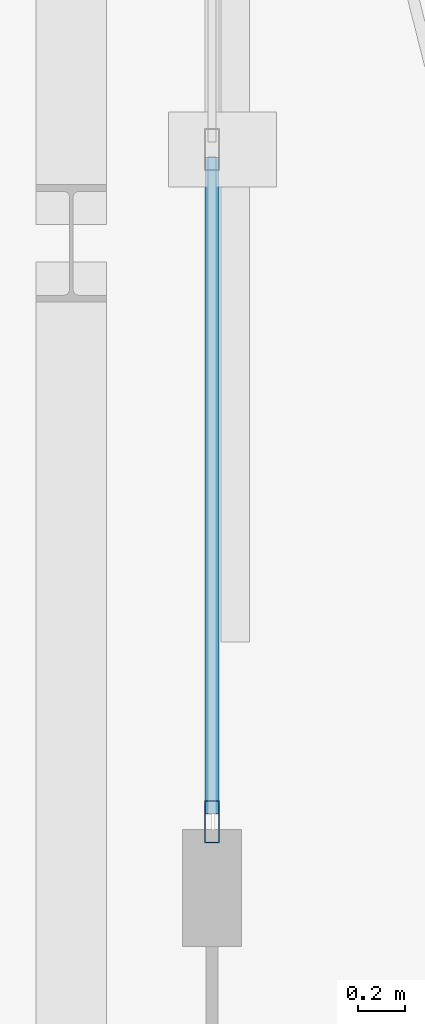
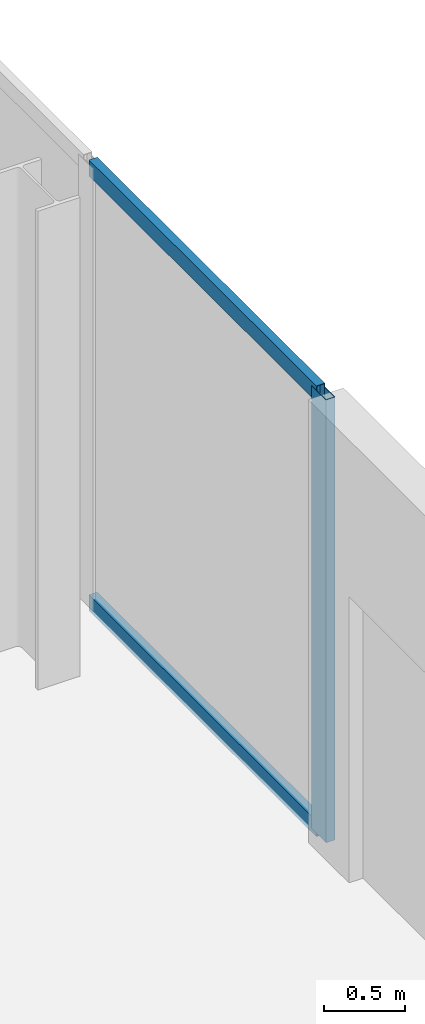
# One storey, part 14 of 23: 3 members, 1 element without a shape of its own.
"""IFC4 building model written with IfcOpenShell, lengths in metres."""

import ifcopenshell
import ifcopenshell.guid

model = None  # the IFC model being written
_history = None  # IfcOwnerHistory: only IFC2X3 demands one
_inside = {}  # id of a spatial element -> (the spatial element, [elements in it])
_under = {}  # id of a project, library or spatial element -> (it, [spatial elements below it])
_declared = {}  # id of a project -> (the project, [libraries it declares])
_typed = {}  # id of a type object -> (the type object, [elements of that type])
_made_of = {}  # id of a material, layer set ... -> (it, [elements and type objects made of it])


def new_model(schema):
    """Start an empty IFC model of exactly this schema.

    Asked for "IFC4X3", IfcOpenShell would pick the latest addendum, in which some entities
    have other attributes; the version numbers below select the first issue.
    IFC2X3 requires an IfcOwnerHistory on every rooted entity: one is made here for all.
    """
    global model, _history
    if schema == "IFC4X3":
        model = ifcopenshell.file(schema_version=(4, 3, 0, 0))
    else:
        model = ifcopenshell.file(schema=schema)
    _inside.clear()
    _under.clear()
    _declared.clear()
    _typed.clear()
    _made_of.clear()
    _history = None
    if model.schema == "IFC2X3":
        org = make("IfcOrganization", Name="unknown")
        user = make(
            "IfcPersonAndOrganization",
            ThePerson=make("IfcPerson", FamilyName="unknown"),
            TheOrganization=org,
        )
        app = make(
            "IfcApplication",
            ApplicationDeveloper=org,
            Version="unknown",
            ApplicationFullName="unknown",
            ApplicationIdentifier="unknown",
        )
        _history = make(
            "IfcOwnerHistory",
            OwningUser=user,
            OwningApplication=app,
            ChangeAction="ADDED",
            CreationDate=0,
        )
    return model


def make(cls, **values):
    """One entity of the class cls with the attributes given. An attribute that is None is left unset."""
    return model.create_entity(
        cls, **{name: value for name, value in values.items() if value is not None}
    )


def rooted(cls, **values):
    """An entity with a GlobalId (a new one), such as an element, a storey or a relation."""
    return make(cls, GlobalId=ifcopenshell.guid.new(), OwnerHistory=_history, **values)


def si_unit(unit_type, name, prefix=None):
    """IfcSIUnit, for example si_unit("LENGTHUNIT", "METRE", prefix="MILLI")."""
    return make("IfcSIUnit", UnitType=unit_type, Prefix=prefix, Name=name)


def assignment(units):
    """IfcUnitAssignment: the units of a project."""
    return None if units is None else make("IfcUnitAssignment", Units=units)


def point(xyz):
    """IfcCartesianPoint."""
    return None if xyz is None else make("IfcCartesianPoint", Coordinates=xyz)


def direction(xyz):
    """IfcDirection."""
    return None if xyz is None else make("IfcDirection", DirectionRatios=xyz)


def frame(location, z_axis=None, x_axis=None):
    """IfcAxis2Placement3D, a coordinate frame: its origin and axes. An axis left out is left unset."""
    return make(
        "IfcAxis2Placement3D",
        Location=point(location),
        Axis=direction(z_axis),
        RefDirection=direction(x_axis),
    )


def frame_2d(location, x_axis=None):
    """IfcAxis2Placement2D, a coordinate frame in the plane: its origin and x axis."""
    return make(
        "IfcAxis2Placement2D", Location=point(location), RefDirection=direction(x_axis)
    )


def origin():
    """The frame at (0, 0, 0) with its axes left unset."""
    return frame((0.0, 0.0, 0.0))


def origin_2d():
    """The frame at (0, 0) in the plane with its x axis left unset."""
    return frame_2d((0.0, 0.0))


def place(relative_to, where):
    """IfcLocalPlacement: puts the frame where relative to a parent placement (None: the world)."""
    return make(
        "IfcLocalPlacement", PlacementRelTo=relative_to, RelativePlacement=where
    )


def context(
    kind, dimensions, precision=None, world=None, true_north=None, identifier=None
):
    """IfcGeometricRepresentationContext, for example the 3D "Model" context."""
    return make(
        "IfcGeometricRepresentationContext",
        ContextIdentifier=identifier,
        ContextType=kind,
        CoordinateSpaceDimension=dimensions,
        Precision=precision,
        WorldCoordinateSystem=world,
        TrueNorth=true_north,
    )


def subcontext(parent, identifier, kind, view, scale=None):
    """IfcGeometricRepresentationSubContext, for example "Body" below "Model"."""
    return make(
        "IfcGeometricRepresentationSubContext",
        ContextIdentifier=identifier,
        ContextType=kind,
        ParentContext=parent,
        TargetScale=scale,
        TargetView=view,
    )


def project(units=None, contexts=None):
    """IfcProject with its units and contexts."""
    return rooted(
        "IfcProject",
        Name="project",
        RepresentationContexts=contexts,
        UnitsInContext=assignment(units),
    )


def spatial(cls, under=None, at=None, **own):
    """A site, building, storey or space (cls), placed at a placement, below another one or the project."""
    s = rooted(cls, ObjectPlacement=at, **own)
    if under is not None:
        _under.setdefault(under.id(), (under, []))[1].append(s)
    return s


def profile(cls, at=None, kind="AREA", **sizes):
    """A parametric profile (cls). Its sizes go by their IFC names, for example OverallWidth=200.0."""
    return make(cls, ProfileType=kind, Position=at, **sizes)


def hollow_rectangle(**sizes):
    """IfcRectangleHollowProfileDef."""
    return profile("IfcRectangleHollowProfileDef", **sizes)


def extrude(swept, where, along, depth):
    """IfcExtrudedAreaSolid: the profile swept, set in the frame where, extruded along a direction by depth."""
    return make(
        "IfcExtrudedAreaSolid",
        SweptArea=swept,
        Position=where,
        ExtrudedDirection=direction(along),
        Depth=depth,
    )


def shape(context_of_items, identifier, shape_type, items):
    """IfcShapeRepresentation: the items that make up one representation, for example the "Body"."""
    return make(
        "IfcShapeRepresentation",
        ContextOfItems=context_of_items,
        RepresentationIdentifier=identifier,
        RepresentationType=shape_type,
        Items=items,
    )


def material(Name=None, Category=None):
    """IfcMaterial."""
    return make("IfcMaterial", Name=Name, Category=Category)


def layer(
    of_material, thickness, ventilated=None, Name=None, Category=None, Priority=None
):
    """IfcMaterialLayer: one layer of a wall or slab, of a material (None: an air gap)."""
    return make(
        "IfcMaterialLayer",
        Material=of_material,
        LayerThickness=thickness,
        IsVentilated=ventilated,
        Name=Name,
        Category=Category,
        Priority=Priority,
    )


def layer_set(layers, Name=None):
    """IfcMaterialLayerSet."""
    return make("IfcMaterialLayerSet", MaterialLayers=layers, LayerSetName=Name)


def material_profile(
    of_material, cross_section, Name=None, Category=None, Priority=None
):
    """IfcMaterialProfile: a cross section and its material."""
    return make(
        "IfcMaterialProfile",
        Name=Name,
        Material=of_material,
        Profile=cross_section,
        Priority=Priority,
        Category=Category,
    )


def profile_set(profiles, Name=None, composite=None):
    """IfcMaterialProfileSet."""
    return make(
        "IfcMaterialProfileSet",
        Name=Name,
        MaterialProfiles=profiles,
        CompositeProfile=composite,
    )


def made_of(thing, what):
    """Note that an element or type object is made of a material, layer set ...; save() writes the relation."""
    if what is not None:
        _made_of.setdefault(what.id(), (what, []))[1].append(thing)
    return thing


def type_object(cls, material=None, **own):
    """A type object (cls), such as IfcWallType, which elements share."""
    return made_of(rooted(cls, **own), material)


def element(
    cls,
    number,
    at=None,
    inside=None,
    cuts=None,
    type_object=None,
    material=None,
    context=None,
    identifier="Body",
    shape_type=None,
    held_by="IfcProductDefinitionShape",
    body=None,
    shapes=None,
    **own,
):
    """One element of the class cls, such as IfcWall. Its Tag is "e" and its number.

    at: its placement. inside: the storey or other place that contains it. cuts: it is an
    opening in that element (IfcRelVoidsElement). A single representation is given by context,
    identifier, shape_type and body (its items); several are given by shapes. held_by: the class
    of the entity that holds the representations. save() writes the other relations.
    """
    e = rooted(cls, Tag="e%d" % number, ObjectPlacement=at, **own)
    if body is not None:
        shapes = [shape(context, identifier, shape_type, body)]
    if shapes is not None:
        e.Representation = make(held_by, Representations=shapes)
    if inside is not None:
        _inside.setdefault(inside.id(), (inside, []))[1].append(e)
    if cuts is not None:
        rooted(
            "IfcRelVoidsElement", RelatingBuildingElement=cuts, RelatedOpeningElement=e
        )
    if type_object is not None:
        _typed.setdefault(type_object.id(), (type_object, []))[1].append(e)
    return made_of(e, material)


def aggregate(whole, parts):
    """IfcRelAggregates: a whole, such as a stair, and the parts it consists of."""
    return rooted("IfcRelAggregates", RelatingObject=whole, RelatedObjects=parts)


def save(model, path):
    """Write the relations noted so far, then the file.

    IfcRelAggregates (storeys below a building ...), IfcRelContainedInSpatialStructure (elements
    in a storey), IfcRelDefinesByType, IfcRelAssociatesMaterial and IfcRelDeclares: one each for
    every whole, place, type object, material and project.
    """
    for whole, parts in _under.values():
        aggregate(whole, parts)
    for where, things in _inside.values():
        rooted(
            "IfcRelContainedInSpatialStructure",
            RelatedElements=things,
            RelatingStructure=where,
        )
    for kind, things in _typed.values():
        rooted("IfcRelDefinesByType", RelatedObjects=things, RelatingType=kind)
    for what, things in _made_of.values():
        rooted("IfcRelAssociatesMaterial", RelatedObjects=things, RelatingMaterial=what)
    for by, libraries in _declared.values():
        rooted("IfcRelDeclares", RelatingContext=by, RelatedDefinitions=libraries)
    model.write(path)


model = new_model("IFC4")

# Units and contexts
model_context = context("Model", 3, precision=1e-05, world=origin(), true_north=direction((0.0, 1.0)))
body_context = subcontext(model_context, "Body", "Model", "MODEL_VIEW")
ifc_project = project(units=[si_unit("LENGTHUNIT", "METRE"), si_unit("AREAUNIT", "SQUARE_METRE"), si_unit("VOLUMEUNIT", "CUBIC_METRE"), si_unit("PLANEANGLEUNIT", "RADIAN"), si_unit("MASSUNIT", "GRAM", prefix="KILO")], contexts=[model_context])

# Site, building, storey
site_placement = place(None, origin())
site = spatial("IfcSite", under=ifc_project, at=site_placement, CompositionType="ELEMENT")
building_placement = place(site_placement, origin())
building = spatial("IfcBuilding", under=site, at=building_placement, Name="Catumbela Crestline Tower", CompositionType="ELEMENT")
storey_placement = place(building_placement, frame((0.0, 0.0, 186.6)))
storey = spatial("IfcBuildingStorey", under=building, at=storey_placement, Name="L48", CompositionType="ELEMENT", Elevation=186.6)

# Curtain wall, members
ifc_material = material(Name="Aluminium alloy AW-6060-T66", Category="aluminium")
ifc_layer = layer(ifc_material, 0.18, Name="Aluminium alloy AW-6060-T66")
ifc_layer_set = layer_set([ifc_layer], Name="Aluminium alloy AW-6060-T66")
curtain_wall_type = type_object("IfcCurtainWallType", Name="CWU-Z3", PredefinedType="USERDEFINED", material=ifc_layer_set)
curtain_wall_placement = place(storey_placement, origin())
curtain_wall = element("IfcCurtainWall", 1, at=curtain_wall_placement, inside=storey, type_object=curtain_wall_type, Name="L48 Unitised Curtain Wall CW-L48-E5S2", ObjectType="UNITISED", PredefinedType="USERDEFINED")
ifc_material_profile_1 = material_profile(ifc_material, hollow_rectangle(XDim=0.065, YDim=0.18, WallThickness=0.004, at=origin_2d()), Name="ALU 180x65x4")
ifc_profile_set_1 = profile_set([ifc_material_profile_1], Name="Aluminium alloy AW-6060-T66")
member_type_1 = type_object("IfcMemberType", Name="MUL-180X65", PredefinedType="MULLION", material=ifc_profile_set_1)
member_1_placement = place(storey_placement, frame((51.0, 33.7325, 0.0), z_axis=(0.0, 0.0, 1.0), x_axis=(-1.0, 0.0, 0.0)))
member_1 = element("IfcMember", 2, at=member_1_placement, type_object=member_type_1, Name="CWU-Z3 mullion 1", PredefinedType="MULLION", context=body_context, shape_type="SweptSolid", body=[
    extrude(hollow_rectangle(XDim=0.065, YDim=0.18, WallThickness=0.004, at=origin_2d()), origin(), (0.0, 0.0, 1.0), 3.33),
])
ifc_material_profile_2 = material_profile(ifc_material, hollow_rectangle(XDim=0.06, YDim=0.12, WallThickness=0.0035, at=origin_2d()), Name="ALU 120x60x3.5")
ifc_profile_set_2 = profile_set([ifc_material_profile_2], Name="Aluminium alloy AW-6060-T66")
member_type_2 = type_object("IfcMemberType", Name="TRN-120X60", PredefinedType="USERDEFINED", material=ifc_profile_set_2)
member_2_placement = place(storey_placement, frame((51.0, 33.765, 0.03), z_axis=(0.0, 1.0, 0.0), x_axis=(-1.0, 0.0, 0.0)))
member_2 = element("IfcMember", 3, at=member_2_placement, type_object=member_type_2, Name="CWU-Z3 transom 1.1", ObjectType="TRANSOM", PredefinedType="USERDEFINED", context=body_context, shape_type="SweptSolid", body=[
    extrude(hollow_rectangle(XDim=0.06, YDim=0.12, WallThickness=0.0035, at=origin_2d()), origin(), (0.0, 0.0, 1.0), 2.8025),
])
member_3_placement = place(storey_placement, frame((51.0, 33.765, 3.3), z_axis=(0.0, 1.0, 0.0), x_axis=(-1.0, 0.0, 0.0)))
member_3 = element("IfcMember", 4, at=member_3_placement, type_object=member_type_2, Name="CWU-Z3 transom 1.2", ObjectType="TRANSOM", PredefinedType="USERDEFINED", context=body_context, shape_type="SweptSolid", body=[
    extrude(hollow_rectangle(XDim=0.06, YDim=0.12, WallThickness=0.0035, at=origin_2d()), origin(), (0.0, 0.0, 1.0), 2.8025),
])
aggregate(curtain_wall, [member_1, member_2, member_3])

save(model, "model.ifc")
